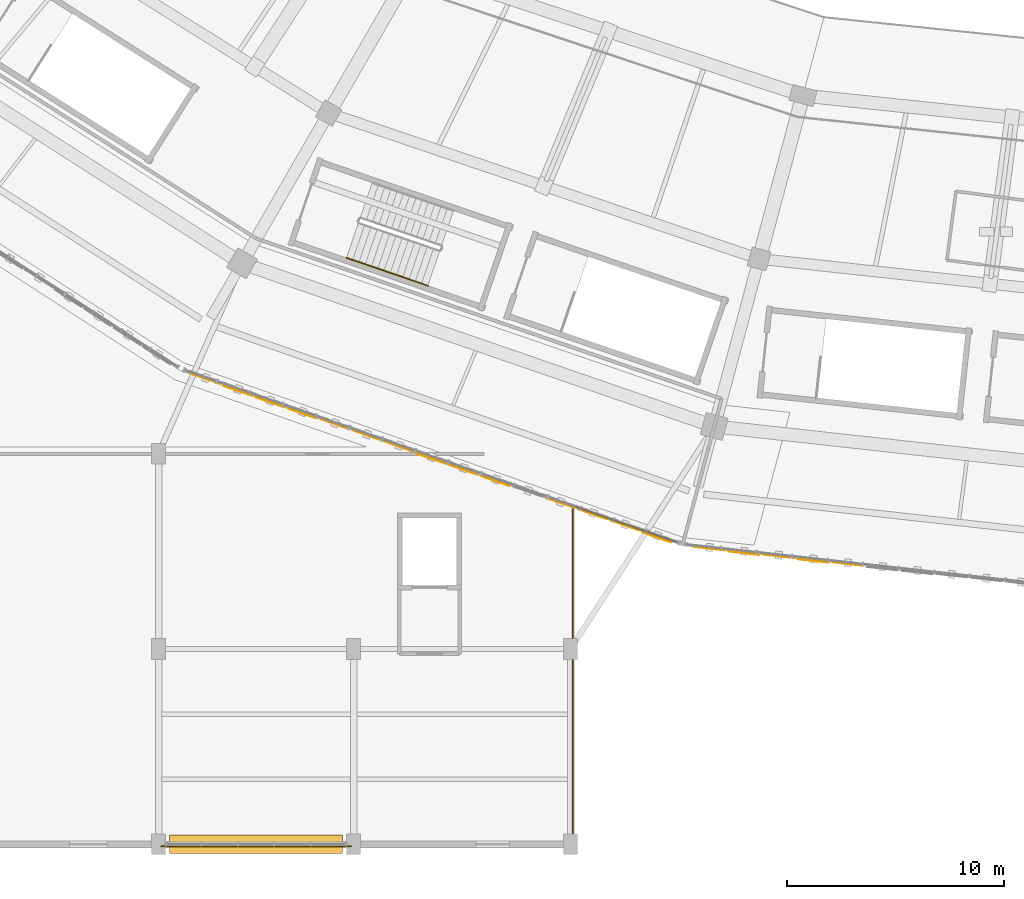
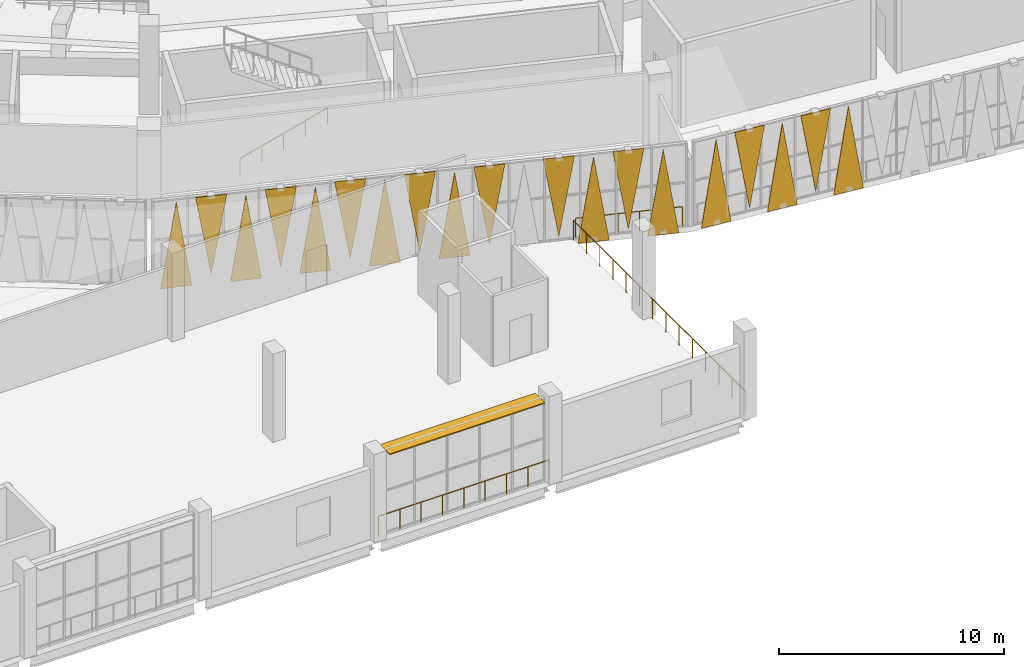
# One storey, part 115 of 152: 19 coverings, 4 railings, 1 shading device.
"""IFC4 building model written with IfcOpenShell, lengths in metres."""

from ifc_helpers import new_model, si_unit, direction, frame, origin, origin_2d, place, context, subcontext, project, spatial, polyline, rectangle, circle, outline, extrude, material, layer, layer_set, type_object, element, save


model = new_model("IFC4")

# Units and contexts
model_context = context("Model", 3, precision=1e-05, world=origin(), true_north=direction((0.0, 1.0)))
body_context = subcontext(model_context, "Body", "Model", "MODEL_VIEW")
ifc_project = project(units=[si_unit("LENGTHUNIT", "METRE"), si_unit("AREAUNIT", "SQUARE_METRE"), si_unit("VOLUMEUNIT", "CUBIC_METRE"), si_unit("PLANEANGLEUNIT", "RADIAN"), si_unit("MASSUNIT", "GRAM", prefix="KILO")], contexts=[model_context])

# Site, building, storey
site_placement = place(None, origin())
site = spatial("IfcSite", under=ifc_project, at=site_placement, CompositionType="ELEMENT")
building_placement = place(site_placement, origin())
building = spatial("IfcBuilding", under=site, at=building_placement, Name="Zevraka Park Crest Stadium", CompositionType="ELEMENT")
storey_placement = place(building_placement, frame((0.0, 0.0, 15.0)))
storey = spatial("IfcBuildingStorey", under=building, at=storey_placement, Name="L03", CompositionType="ELEMENT", Elevation=15.0)

# Coverings
ifc_material_1 = material(Name="Architectural golden-bronze perforated aluminium", Category="aluminium")
ifc_layer_1 = layer(ifc_material_1, 0.034912109375)
ifc_layer_set_1 = layer_set([ifc_layer_1], Name="Architectural golden-bronze perforated aluminium")
covering_type = type_object("IfcCoveringType", Name="CLD01", PredefinedType="CLADDING", material=ifc_layer_set_1)
covering_1_placement = place(storey_placement, frame((64.5, 21.677001953125, -0.260009765625), z_axis=(-0.33001229605, -0.943976625189, 0.000124706276), x_axis=(0.94397663253, -0.330012298616, 0.0)))
element("IfcCovering", 1, at=covering_1_placement, inside=storey, type_object=covering_type, Name="Triangular Golden-Bronze Perforated Cladding L03-16-1", PredefinedType="CLADDING", context=body_context, shape_type="SweptSolid", body=[
    extrude(outline(polyline([(0.0, 0.0), (1.4152230616345542, 0.0), (0.7074101072951724, 4.620117223425236), (0.0, 0.0)])), origin(), (0.0, 0.0, -1.0), 0.034912109375),
])
covering_2_placement = place(storey_placement, frame((67.322998046875, 20.69091796875, 4.52001953125), z_axis=(0.32939719824, 0.944191445139, 2.6803822e-05), x_axis=(-0.944191445478, 0.329397198358, 0.0)))
element("IfcCovering", 2, at=covering_2_placement, inside=storey, type_object=covering_type, Name="Triangular Golden-Bronze Perforated Cladding L03-16-2", PredefinedType="CLADDING", context=body_context, shape_type="SweptSolid", body=[
    extrude(outline(polyline([(0.0, 0.0), (1.4149010843069405, 0.0), (0.7074907517724105, -4.300048829669675), (0.0, 0.0)])), origin(), (0.0, 0.0, -1.0), 0.034912109375),
])
covering_3_placement = place(storey_placement, frame((67.47412109375, 20.637939453125, -0.260009765625), z_axis=(0.330012297693, 0.943976629887, 7.4823766e-05), x_axis=(0.94397663253, -0.330012298616, 0.0)))
element("IfcCovering", 3, at=covering_3_placement, inside=storey, type_object=covering_type, Name="Triangular Golden-Bronze Perforated Cladding L03-16-3", PredefinedType="CLADDING", context=body_context, shape_type="SweptSolid", body=[
    extrude(outline(polyline([(0.0, 0.0), (1.4152230616345542, 0.0), (0.70773238493054, -4.620117200433086), (0.0, 0.0)])), origin(), (0.0, 0.0, -1.0), 0.034912109375),
])
covering_4_placement = place(storey_placement, frame((70.297119140625, 19.65087890625, 4.52001953125), z_axis=(0.329958563173, 0.943995408388, 0.000124624382), x_axis=(-0.943995415719, 0.329958565735, 0.0)))
element("IfcCovering", 4, at=covering_4_placement, inside=storey, type_object=covering_type, Name="Triangular Golden-Bronze Perforated Cladding L03-16-4", PredefinedType="CLADDING", context=body_context, shape_type="SweptSolid", body=[
    extrude(outline(polyline([(0.0, 0.0), (1.415453526972662, 0.0), (0.7080433880278831, -4.3000488615175385), (0.0, 0.0)])), origin(), (0.0, 0.0, -1.0), 0.034912109375),
])
covering_5_placement = place(storey_placement, frame((70.447998046875, 19.597900390625, -0.260009765625), z_axis=(-0.329243357705, -0.944245101341, 0.0), x_axis=(0.944245101341, -0.329243357705, 0.0)))
element("IfcCovering", 5, at=covering_5_placement, inside=storey, type_object=covering_type, Name="Triangular Golden-Bronze Perforated Cladding L03-16-5", PredefinedType="CLADDING", context=body_context, shape_type="SweptSolid", body=[
    extrude(outline(polyline([(0.0, 0.0), (1.414820683847903, 0.0), (0.7074103419239515, 4.6201171875), (0.0, 0.0)])), origin(), (0.0, 0.0, -1.0), 0.034912109375),
])
covering_6_placement = place(storey_placement, frame((73.27099609375, 18.612060546875, 4.52001953125), z_axis=(-0.330012295654, -0.943976624056, 0.00013398862), x_axis=(-0.94397663253, 0.330012298616, 0.0)))
element("IfcCovering", 6, at=covering_6_placement, inside=storey, type_object=covering_type, Name="Triangular Golden-Bronze Perforated Cladding L03-16-6", PredefinedType="CLADDING", context=body_context, shape_type="SweptSolid", body=[
    extrude(outline(polyline([(0.0, 0.0), (1.4152230616345545, -6.776263578034403e-21), (0.7074101072951724, 4.300048866724282), (0.0, 0.0)])), origin(), (0.0, 0.0, -1.0), 0.034912109375),
])
covering_7_placement = place(storey_placement, frame((73.422119140625, 18.55908203125, -0.260009765625), z_axis=(-0.330012297693, -0.943976629887, 7.4823766e-05), x_axis=(0.94397663253, -0.330012298616, 0.0)))
element("IfcCovering", 7, at=covering_7_placement, inside=storey, type_object=covering_type, Name="Triangular Golden-Bronze Perforated Cladding L03-16-7", PredefinedType="CLADDING", context=body_context, shape_type="SweptSolid", body=[
    extrude(outline(polyline([(0.0, 0.0), (1.4152230616345542, 0.0), (0.7074906767040143, 4.620117200433086), (0.0, 0.0)])), origin(), (0.0, 0.0, -1.0), 0.034912109375),
])
covering_8_placement = place(storey_placement, frame((76.243896484375, 17.572998046875, 4.52001953125), z_axis=(0.329611991176, 0.944116483894, 1.0626568e-05), x_axis=(-0.944116483947, 0.329611991195, 0.0)))
element("IfcCovering", 8, at=covering_8_placement, inside=storey, type_object=covering_type, Name="Triangular Golden-Bronze Perforated Cladding L03-16-8", PredefinedType="CLADDING", context=body_context, shape_type="SweptSolid", body=[
    extrude(outline(polyline([(0.0, 0.0), (1.4139790589388457, 0.0), (0.7064882992537268, -4.30004882836779), (0.0, 0.0)])), origin(), (0.0, 0.0, -1.0), 0.034912109375),
])
covering_9_placement = place(storey_placement, frame((76.39501953125, 17.52001953125, -0.260009765625), z_axis=(0.33001229605, 0.943976625189, 0.000124706276), x_axis=(0.94397663253, -0.330012298616, 0.0)))
element("IfcCovering", 9, at=covering_9_placement, inside=storey, type_object=covering_type, Name="Triangular Golden-Bronze Perforated Cladding L03-16-9", PredefinedType="CLADDING", context=body_context, shape_type="SweptSolid", body=[
    extrude(outline(polyline([(0.0, 0.0), (1.4152230616345542, 0.0), (0.707812954339382, -4.620117223425236), (0.0, 0.0)])), origin(), (0.0, 0.0, -1.0), 0.034912109375),
])
covering_10_placement = place(storey_placement, frame((79.218017578125, 16.532958984375, 4.52001953125), z_axis=(0.330012295654, 0.943976624056, 0.00013398862), x_axis=(-0.94397663253, 0.330012298616, 0.0)))
element("IfcCovering", 10, at=covering_10_placement, inside=storey, type_object=covering_type, Name="Triangular Golden-Bronze Perforated Cladding L03-16-10", PredefinedType="CLADDING", context=body_context, shape_type="SweptSolid", body=[
    extrude(outline(polyline([(0.0, 0.0), (1.4152230616345545, -6.776263578034403e-21), (0.707812954339382, -4.300048866724282), (0.0, 0.0)])), origin(), (0.0, 0.0, -1.0), 0.034912109375),
])
covering_11_placement = place(storey_placement, frame((82.19189453125, 15.493896484375, 4.52001953125), z_axis=(-0.33001229755, -0.943976629479, 8.0393172e-05), x_axis=(-0.94397663253, 0.330012298616, 0.0)))
element("IfcCovering", 11, at=covering_11_placement, inside=storey, type_object=covering_type, Name="Triangular Golden-Bronze Perforated Cladding L03-16-12", PredefinedType="CLADDING", context=body_context, shape_type="SweptSolid", body=[
    extrude(outline(polyline([(0.0, 0.0), (1.4152230616345545, 0.0), (0.7074906767040143, 4.300048842020742), (0.0, 0.0)])), origin(), (0.0, 0.0, -1.0), 0.034912109375),
])
covering_12_placement = place(storey_placement, frame((82.343017578125, 15.44091796875, -0.260009765625), z_axis=(-0.329858561276, -0.944030359469, 9.97707e-05), x_axis=(0.944030364167, -0.329858562918, 0.0)))
element("IfcCovering", 12, at=covering_12_placement, inside=storey, type_object=covering_type, Name="Triangular Golden-Bronze Perforated Cladding L03-16-13", PredefinedType="CLADDING", context=body_context, shape_type="SweptSolid", body=[
    extrude(outline(polyline([(0.0, 0.0), (1.415142510991743, 6.776263578034403e-21), (0.7074101917444467, 4.620117210494767), (0.0, 0.0)])), origin(), (0.0, 0.0, -1.0), 0.034912109375),
])
covering_13_placement = place(storey_placement, frame((85.166015625, 14.455078125, 4.52001953125), z_axis=(-0.329243357705, -0.944245101341, 0.0), x_axis=(-0.944245101341, 0.329243357705, 0.0)))
element("IfcCovering", 13, at=covering_13_placement, inside=storey, type_object=covering_type, Name="Triangular Golden-Bronze Perforated Cladding L03-16-14", PredefinedType="CLADDING", context=body_context, shape_type="SweptSolid", body=[
    extrude(outline(polyline([(0.0, 0.0), (1.414820683847903, 0.0), (0.7074103419239515, 4.300048828125), (0.0, 0.0)])), origin(), (0.0, 0.0, -1.0), 0.034912109375),
])
covering_14_placement = place(storey_placement, frame((85.31689453125, 14.402099609375, -0.260009765625), z_axis=(0.329958563516, 0.943995409368, 0.000115990765), x_axis=(0.943995415719, -0.329958565735, 0.0)))
element("IfcCovering", 14, at=covering_14_placement, inside=storey, type_object=covering_type, Name="Triangular Golden-Bronze Perforated Cladding L03-16-15", PredefinedType="CLADDING", context=body_context, shape_type="SweptSolid", body=[
    extrude(outline(polyline([(0.0, 0.0), (1.415453526972662, 0.0), (0.7080433880278831, -4.6201172185792), (0.0, 0.0)])), origin(), (0.0, 0.0, -1.0), 0.034912109375),
])
covering_15_placement = place(storey_placement, frame((87.679931640625, 13.700927734375, -0.260009765625), z_axis=(-0.109857339416, -0.993947356621, 0.000131307778), x_axis=(0.99394736519, -0.109857340363, 0.0)))
element("IfcCovering", 15, at=covering_15_placement, inside=storey, type_object=covering_type, Name="Triangular Golden-Bronze Perforated Cladding L03-17-1", PredefinedType="CLADDING", context=body_context, shape_type="SweptSolid", body=[
    extrude(outline(polyline([(0.0, 0.0), (1.4467448997915233, -3.3881317890172014e-21), (0.7233053982964189, 4.620117227329413), (0.0, 0.0)])), origin(), (0.0, 0.0, -1.0), 0.034912109375),
])
covering_16_placement = place(storey_placement, frame((90.714111328125, 13.364013671875, 4.52001953125), z_axis=(0.110598317724, 0.993865187976, 1.5655252e-05), x_axis=(-0.993865188098, 0.110598317738, 0.0)))
element("IfcCovering", 16, at=covering_16_placement, inside=storey, type_object=covering_type, Name="Triangular Golden-Bronze Perforated Cladding L03-17-2", PredefinedType="CLADDING", context=body_context, shape_type="SweptSolid", body=[
    extrude(outline(polyline([(0.0, 0.0), (1.4458819324376355, 0.0), (0.723439752726402, -4.300048828651943), (0.0, 0.0)])), origin(), (0.0, 0.0, -1.0), 0.034912109375),
])
covering_17_placement = place(storey_placement, frame((90.873046875, 13.346923828125, -0.260009765625), z_axis=(-0.110524126296, -0.993873441046, 2.6259603e-05), x_axis=(0.993873441389, -0.110524126334, 0.0)))
element("IfcCovering", 17, at=covering_17_placement, inside=storey, type_object=covering_type, Name="Triangular Golden-Bronze Perforated Cladding L03-17-3", PredefinedType="CLADDING", context=body_context, shape_type="SweptSolid", body=[
    extrude(outline(polyline([(0.0, 0.0), (1.446852507941667, 0.0), (0.723412762256193, 4.62011718909294), (0.0, 0.0)])), origin(), (0.0, 0.0, -1.0), 0.034912109375),
])
covering_18_placement = place(storey_placement, frame((93.907958984375, 13.010009765625, 4.52001953125), z_axis=(0.10985733927, 0.993947355298, 0.000141081496), x_axis=(-0.99394736519, 0.109857340363, 0.0)))
element("IfcCovering", 18, at=covering_18_placement, inside=storey, type_object=covering_type, Name="Triangular Golden-Bronze Perforated Cladding L03-17-4", PredefinedType="CLADDING", context=body_context, shape_type="SweptSolid", body=[
    extrude(outline(polyline([(0.0, 0.0), (1.4467448997915233, 0.0), (0.7234395014951044, -4.300048870919063), (0.0, 0.0)])), origin(), (0.0, 0.0, -1.0), 0.034912109375),
])
covering_19_placement = place(storey_placement, frame((94.06689453125, 12.991943359375, -0.260009765625), z_axis=(-0.110524126296, -0.993873441046, 2.6259603e-05), x_axis=(0.993873441389, -0.110524126334, 0.0)))
element("IfcCovering", 19, at=covering_19_placement, inside=storey, type_object=covering_type, Name="Triangular Golden-Bronze Perforated Cladding L03-17-5", PredefinedType="CLADDING", context=body_context, shape_type="SweptSolid", body=[
    extrude(outline(polyline([(0.0, 0.0), (1.446852507941667, 0.0), (0.723412762256193, 4.62011718909294), (0.0, 0.0)])), origin(), (0.0, 0.0, -1.0), 0.034912109375),
])

# Railings
ifc_material_2 = material(Name="Galvanised and bronze-finished steel balustrade", Category="steel")
railing_type_1 = type_object("IfcRailingType", Name="GR01", PredefinedType="GUARDRAIL", material=ifc_material_2)
railing_1_placement = place(storey_placement, frame((86.840087890625, 13.944091796875, 0.0)))
element("IfcRailing", 20, at=railing_1_placement, inside=storey, type_object=railing_type_1, Name="Deck Edge Protection Guardrail GR01 L03-33", PredefinedType="GUARDRAIL", context=body_context, shape_type="SweptSolid", body=[
    extrude(circle(Radius=0.02392578125, at=origin_2d()), frame((0.0, 0.0, 1.076171875), z_axis=(-0.944041602918, 0.329826396699, 0.0), x_axis=(-0.329826396699, -0.944041602918, 0.0)), (0.0, 0.0, 1.0), 4.835693359375),
    extrude(circle(Radius=0.02099609375, at=origin_2d()), origin(), (0.0, 0.0, 1.0), 1.052001953125),
    extrude(circle(Radius=0.02099609375, at=origin_2d()), frame((-0.9130859375, 0.319091796875, 0.0)), (0.0, 0.0, 1.0), 1.052001953125),
    extrude(circle(Radius=0.02099609375, at=origin_2d()), frame((-1.826171875, 0.637939453125, 0.0)), (0.0, 0.0, 1.0), 1.052001953125),
    extrude(circle(Radius=0.02099609375, at=origin_2d()), frame((-2.739013671875, 0.95703125, 0.0)), (0.0, 0.0, 1.0), 1.052001953125),
    extrude(circle(Radius=0.02099609375, at=origin_2d()), frame((-3.652099609375, 1.27587890625, 0.0)), (0.0, 0.0, 1.0), 1.052001953125),
    extrude(circle(Radius=0.02099609375, at=origin_2d()), frame((-4.565185546875, 1.594970703125, 0.0)), (0.0, 0.0, 1.0), 1.052001953125),
])
railing_2_placement = place(storey_placement, frame((82.112060546875, 15.45703125, 0.0)))
element("IfcRailing", 21, at=railing_2_placement, inside=storey, type_object=railing_type_1, Name="Deck Edge Protection Guardrail GR01 L03-34", PredefinedType="GUARDRAIL", context=body_context, shape_type="SweptSolid", body=[
    extrude(circle(Radius=0.02392578125, at=origin_2d()), frame((0.0, 0.0, 1.076171875), z_axis=(-0.000462328172, -0.999999893126, 0.0), x_axis=(0.999999893126, -0.000462328172, 0.0)), (0.0, 0.0, 1.0), 15.31396484375),
    extrude(circle(Radius=0.02099609375, at=origin_2d()), origin(), (0.0, 0.0, 1.0), 1.052001953125),
    extrude(circle(Radius=0.02099609375, at=origin_2d()), frame((-0.00048828125, -1.177978515625, 0.0)), (0.0, 0.0, 1.0), 1.052001953125),
    extrude(circle(Radius=0.02099609375, at=origin_2d()), frame((-0.0009765625, -2.35595703125, 0.0)), (0.0, 0.0, 1.0), 1.052001953125),
    extrude(circle(Radius=0.02099609375, at=origin_2d()), frame((-0.001708984375, -3.533935546875, 0.0)), (0.0, 0.0, 1.0), 1.052001953125),
    extrude(circle(Radius=0.02099609375, at=origin_2d()), frame((-0.002197265625, -4.7119140625, 0.0)), (0.0, 0.0, 1.0), 1.052001953125),
    extrude(circle(Radius=0.02099609375, at=origin_2d()), frame((-0.002685546875, -5.889892578125, 0.0)), (0.0, 0.0, 1.0), 1.052001953125),
    extrude(circle(Radius=0.02099609375, at=origin_2d()), frame((-0.003173828125, -7.06787109375, 0.0)), (0.0, 0.0, 1.0), 1.052001953125),
    extrude(circle(Radius=0.02099609375, at=origin_2d()), frame((-0.00390625, -8.24609375, 0.0)), (0.0, 0.0, 1.0), 1.052001953125),
    extrude(circle(Radius=0.02099609375, at=origin_2d()), frame((-0.00439453125, -9.424072265625, 0.0)), (0.0, 0.0, 1.0), 1.052001953125),
    extrude(circle(Radius=0.02099609375, at=origin_2d()), frame((-0.0048828125, -10.60205078125, 0.0)), (0.0, 0.0, 1.0), 1.052001953125),
    extrude(circle(Radius=0.02099609375, at=origin_2d()), frame((-0.00537109375, -11.780029296875, 0.0)), (0.0, 0.0, 1.0), 1.052001953125),
    extrude(circle(Radius=0.02099609375, at=origin_2d()), frame((-0.006103515625, -12.9580078125, 0.0)), (0.0, 0.0, 1.0), 1.052001953125),
    extrude(circle(Radius=0.02099609375, at=origin_2d()), frame((-0.006591796875, -14.135986328125, 0.0)), (0.0, 0.0, 1.0), 1.052001953125),
    extrude(circle(Radius=0.02099609375, at=origin_2d()), frame((-0.007080078125, -15.31396484375, 0.0)), (0.0, 0.0, 1.0), 1.052001953125),
])
railing_3_placement = place(storey_placement, frame((71.884033203125, -0.10498046875, 0.0)))
element("IfcRailing", 22, at=railing_3_placement, inside=storey, type_object=railing_type_1, Name="Deck Edge Protection Guardrail GR01 L03-35", PredefinedType="GUARDRAIL", context=body_context, shape_type="SweptSolid", body=[
    extrude(circle(Radius=0.02392578125, at=origin_2d()), frame((0.0, 0.0, 1.076171875), z_axis=(-1.0, 0.0, 0.0), x_axis=(0.0, -1.0, 0.0)), (0.0, 0.0, 1.0), 8.76806640625),
    extrude(circle(Radius=0.02099609375, at=origin_2d()), origin(), (0.0, 0.0, 1.0), 1.052001953125),
    extrude(circle(Radius=0.02099609375, at=origin_2d()), frame((-1.095947265625, 0.0, 0.0)), (0.0, 0.0, 1.0), 1.052001953125),
    extrude(circle(Radius=0.02099609375, at=origin_2d()), frame((-2.19189453125, 0.0, 0.0)), (0.0, 0.0, 1.0), 1.052001953125),
    extrude(circle(Radius=0.02099609375, at=origin_2d()), frame((-3.2880859375, 0.0, 0.0)), (0.0, 0.0, 1.0), 1.052001953125),
    extrude(circle(Radius=0.02099609375, at=origin_2d()), frame((-4.384033203125, 0.0, 0.0)), (0.0, 0.0, 1.0), 1.052001953125),
    extrude(circle(Radius=0.02099609375, at=origin_2d()), frame((-5.47998046875, 0.0, 0.0)), (0.0, 0.0, 1.0), 1.052001953125),
    extrude(circle(Radius=0.02099609375, at=origin_2d()), frame((-6.576171875, 0.0, 0.0)), (0.0, 0.0, 1.0), 1.052001953125),
    extrude(circle(Radius=0.02099609375, at=origin_2d()), frame((-7.672119140625, 0.0, 0.0)), (0.0, 0.0, 1.0), 1.052001953125),
    extrude(circle(Radius=0.02099609375, at=origin_2d()), frame((-8.76806640625, 0.0, 0.0)), (0.0, 0.0, 1.0), 1.052001953125),
])
ifc_material_3 = material(Name="Brushed stainless steel continuous handrail", Category="steel")
railing_type_2 = type_object("IfcRailingType", Name="HR01", PredefinedType="HANDRAIL", material=ifc_material_3)
railing_4_placement = place(storey_placement, frame((71.66748046875, 27.041259765625, 0.17138671875)))
element("IfcRailing", 23, at=railing_4_placement, inside=storey, type_object=railing_type_2, Name="L03 ST17 stair handrail 1", PredefinedType="HANDRAIL", context=body_context, shape_type="SweptSolid", body=[
    extrude(circle(Radius=0.02392578125, at=origin_2d()), frame((0.0, 0.0, 0.8759765625), z_axis=(0.824722129126, -0.28240452495, 0.489980707801), x_axis=(0.323957490722, 0.946071637988, 0.0)), (0.0, 0.0, 1.0), 4.548095703125),
    extrude(circle(Radius=0.02099609375, at=origin_2d()), origin(), (0.0, 0.0, 1.0), 0.851806640625),
    extrude(circle(Radius=0.02099609375, at=origin_2d()), frame((0.937744140625, -0.321044921875, 0.55712890625)), (0.0, 0.0, 1.0), 0.851806640625),
    extrude(circle(Radius=0.02099609375, at=origin_2d()), frame((1.87548828125, -0.64208984375, 1.1142578125)), (0.0, 0.0, 1.0), 0.851806640625),
    extrude(circle(Radius=0.02099609375, at=origin_2d()), frame((2.813232421875, -0.96337890625, 1.67138671875)), (0.0, 0.0, 1.0), 0.851806640625),
    extrude(circle(Radius=0.02099609375, at=origin_2d()), frame((3.7509765625, -1.284423828125, 2.228515625)), (0.0, 0.0, 1.0), 0.851806640625),
])

# Shading device
ifc_material_4 = material(Name="Architectural golden-bronze anodised bronze", Category="aluminium")
ifc_layer_2 = layer(ifc_material_4, 0.06005859375)
ifc_layer_set_2 = layer_set([ifc_layer_2], Name="Architectural golden-bronze anodised bronze")
shading_device_type = type_object("IfcShadingDeviceType", Name="SHD01", PredefinedType="USERDEFINED", material=ifc_layer_set_2)
shading_device_placement = place(storey_placement, frame((67.5, 0.0, 4.4599609375), z_axis=(0.0, 0.0, 1.0), x_axis=(-1.0, 0.0, 0.0)))
element("IfcShadingDevice", 24, at=shading_device_placement, inside=storey, type_object=shading_device_type, Name="Wing Bronze Solar Screen SHD01 L03-SW-S3-2", ObjectType="SOLAR SCREEN", PredefinedType="USERDEFINED", context=body_context, shape_type="SweptSolid", body=[
    extrude(rectangle(XDim=7.969970703125, YDim=0.85009765625, at=origin_2d()), origin(), (0.0, 0.0, 1.0), 0.06005859375),
])

save(model, "model.ifc")
